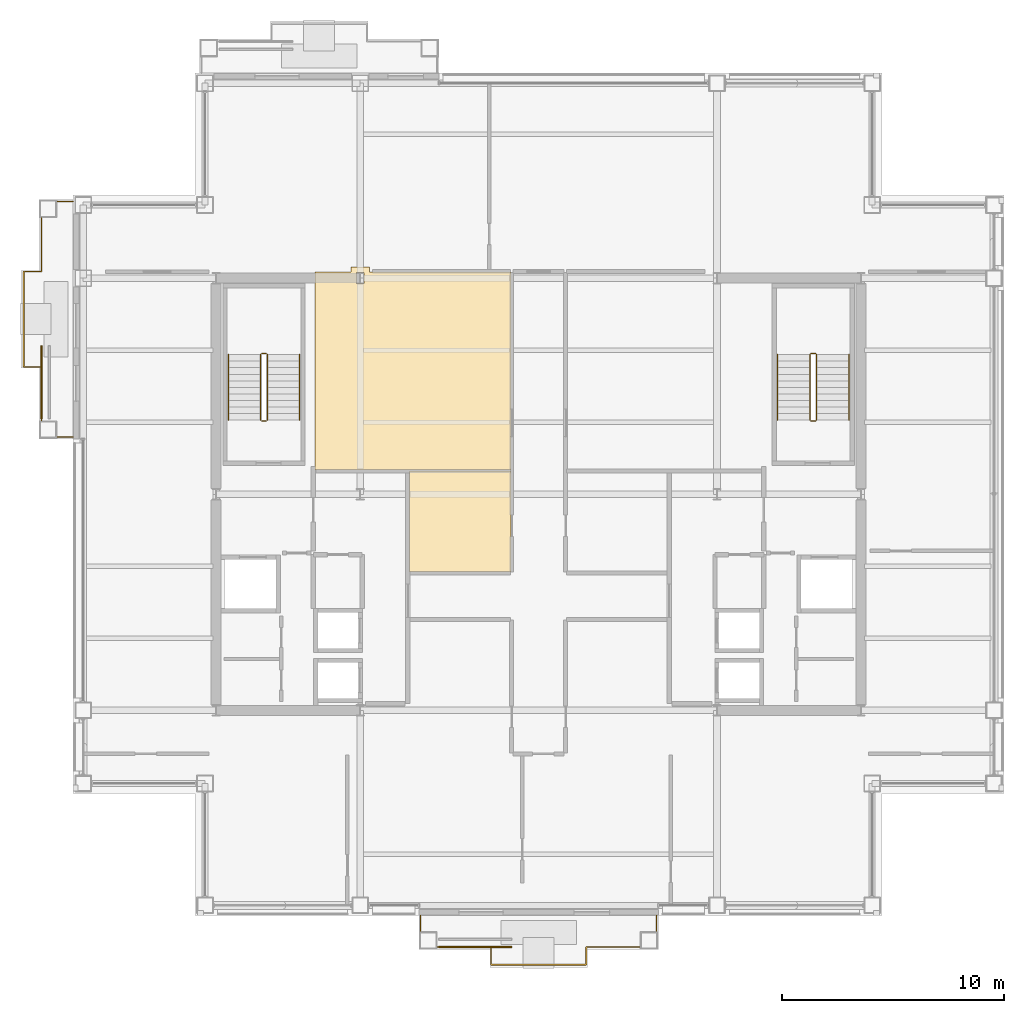
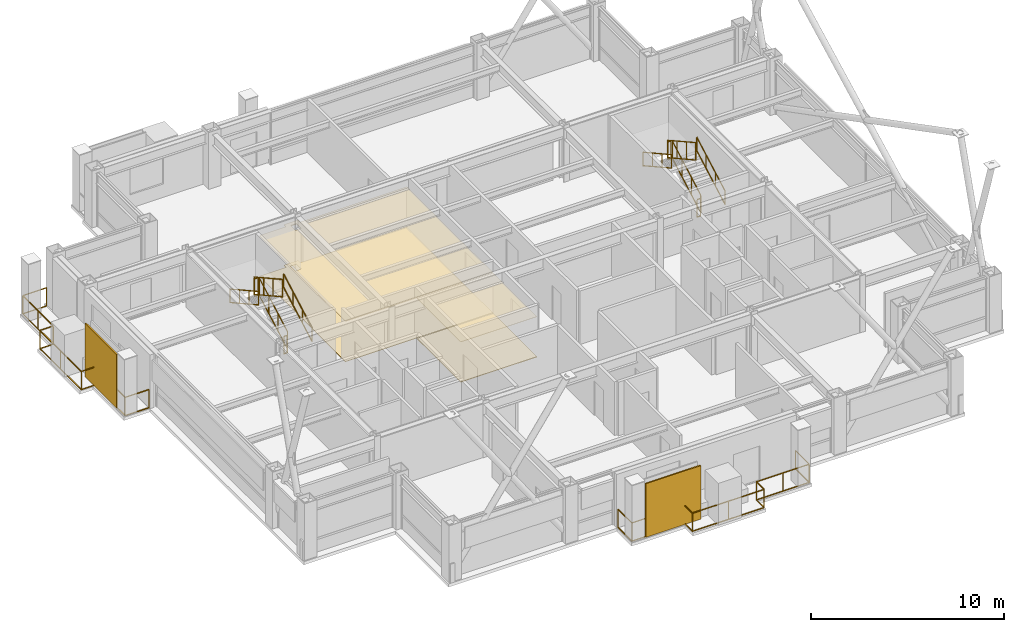
# One storey, part 30 of 32: 14 railings, 4 coverings, 2 shading devices.
"""IFC4 building model written with IfcOpenShell, lengths in metres."""

from ifc_helpers import new_model, si_unit, direction, frame, origin, origin_2d, place, context, subcontext, project, spatial, polyline, rectangle, outline, extrude, material, layer, layer_set, type_object, element, save


model = new_model("IFC4")

# Units and contexts
model_context = context("Model", 3, precision=1e-05, world=origin(), true_north=direction((0.0, 1.0)))
body_context = subcontext(model_context, "Body", "Model", "MODEL_VIEW")
ifc_project = project(units=[si_unit("LENGTHUNIT", "METRE"), si_unit("AREAUNIT", "SQUARE_METRE"), si_unit("VOLUMEUNIT", "CUBIC_METRE"), si_unit("PLANEANGLEUNIT", "RADIAN"), si_unit("MASSUNIT", "GRAM", prefix="KILO")], contexts=[model_context])

# Site, building, storey
site_placement = place(None, origin())
site = spatial("IfcSite", under=ifc_project, at=site_placement, CompositionType="ELEMENT")
building_placement = place(site_placement, origin())
building = spatial("IfcBuilding", under=site, at=building_placement, Name="Brelmoor Portico Tower", CompositionType="ELEMENT")
storey_placement = place(building_placement, frame((0.0, 0.0, 162.300048828125)))
storey = spatial("IfcBuildingStorey", under=building, at=storey_placement, Name="L42", CompositionType="ELEMENT", Elevation=162.300048828125)

# Coverings
ifc_material_1 = material(Name="Perforated Mineral-Fibre Acoustic Ceiling Tile", Category="gypsum")
ifc_layer_1 = layer(ifc_material_1, 0.02490234375)
ifc_layer_set_1 = layer_set([ifc_layer_1], Name="Perforated Mineral-Fibre Acoustic Ceiling Tile")
covering_type_1 = type_object("IfcCoveringType", Name="CV-CEIL-GYPSUM-25", PredefinedType="CEILING", material=ifc_layer_set_1)
covering_1_placement = place(storey_placement, frame((0.0, 0.0, 2.550048828125)))
element("IfcCovering", 1, at=covering_1_placement, inside=storey, type_object=covering_type_1, Name="L42 Acoustic Suspended Ceiling 02", PredefinedType="CEILING", context=body_context, shape_type="SweptSolid", body=[
    extrude(outline(polyline([(-5.820068359375, -3.510009765625), (-5.820068359375, 1.0400390625), (-1.239990234375, 1.0400390625), (-1.239990234375, -3.510009765625), (-5.820068359375, -3.510009765625)])), origin(), (0.0, 0.0, 1.0), 0.02490234375),
])
ifc_material_2 = material(Name="Slatted FSC Oak Acoustic Feature Ceiling", Category="timber")
ifc_layer_2 = layer(ifc_material_2, 0.052001953125)
ifc_layer_set_2 = layer_set([ifc_layer_2], Name="Slatted FSC Oak Acoustic Feature Ceiling")
covering_type_2 = type_object("IfcCoveringType", Name="CV-CEIL-TIMBER-52", PredefinedType="CEILING", material=ifc_layer_set_2)
covering_2_placement = place(storey_placement, frame((0.0, 0.0, 2.550048828125)))
element("IfcCovering", 2, at=covering_2_placement, inside=storey, type_object=covering_type_2, Name="L42 Acoustic Suspended Ceiling 01", PredefinedType="CEILING", context=body_context, shape_type="SweptSolid", body=[
    extrude(outline(polyline([(-10.080078125, 10.030029296875), (-8.47509765625, 10.030029296875), (-8.47509765625, 10.25), (-7.625, 10.25), (-7.625, 10.030029296875), (-1.239990234375, 10.030029296875), (-1.239990234375, 1.090087890625), (-10.080078125, 1.090087890625), (-10.080078125, 10.030029296875)]), holes=[polyline([(-7.875, 9.5), (-7.875, 10.0), (-8.22509765625, 10.0), (-8.22509765625, 9.5), (-7.875, 9.5)])]), origin(), (0.0, 0.0, 1.0), 0.052001953125),
])
ifc_material_3 = material(Name="Honed Pearl-Grey Granite Paver Finish", Category="masonry")
ifc_layer_3 = layer(ifc_material_3, 0.0380859375)
ifc_layer_set_3 = layer_set([ifc_layer_3], Name="Honed Pearl-Grey Granite Paver Finish")
covering_type_3 = type_object("IfcCoveringType", Name="CV-FLR-GRANITE-38", PredefinedType="FLOORING", material=ifc_layer_set_3)
covering_3_placement = place(storey_placement, origin())
element("IfcCovering", 3, at=covering_3_placement, inside=storey, type_object=covering_type_3, Name="L42 Architectural Floor Finish 02", PredefinedType="FLOORING", context=body_context, shape_type="SweptSolid", body=[
    extrude(outline(polyline([(-5.820068359375, -3.510009765625), (-5.820068359375, 1.0400390625), (-1.239990234375, 1.0400390625), (-1.239990234375, -3.510009765625), (-5.820068359375, -3.510009765625)])), origin(), (0.0, 0.0, 1.0), 0.037841796875),
])
ifc_material_4 = material(Name="Polished Pale-Aggregate Cementitious Terrazzo", Category="stone")
ifc_layer_4 = layer(ifc_material_4, 0.030029296875)
ifc_layer_set_4 = layer_set([ifc_layer_4], Name="Polished Pale-Aggregate Cementitious Terrazzo")
covering_type_4 = type_object("IfcCoveringType", Name="CV-FLR-TERRAZZO-30", PredefinedType="FLOORING", material=ifc_layer_set_4)
covering_4_placement = place(storey_placement, origin())
element("IfcCovering", 4, at=covering_4_placement, inside=storey, type_object=covering_type_4, Name="L42 Architectural Floor Finish 01", PredefinedType="FLOORING", context=body_context, shape_type="SweptSolid", body=[
    extrude(outline(polyline([(-10.080078125, 10.030029296875), (-8.47509765625, 10.030029296875), (-8.47509765625, 10.25), (-7.625, 10.25), (-7.625, 10.030029296875), (-1.239990234375, 10.030029296875), (-1.239990234375, 1.090087890625), (-10.080078125, 1.090087890625), (-10.080078125, 10.030029296875)]), holes=[polyline([(-7.875, 9.5), (-7.875, 10.0), (-8.22509765625, 10.0), (-8.22509765625, 9.5), (-7.875, 9.5)])]), origin(), (0.0, 0.0, 1.0), 0.030029296875),
])

# Railings
ifc_material_5 = material(Name="Perforated Pale Champagne Aluminium Fretwork Guard", Category="aluminium")
railing_type_1 = type_object("IfcRailingType", Name="RL-BALUSTRADE-1200", PredefinedType="BALUSTRADE", material=ifc_material_5)
railing_1_placement = place(storey_placement, frame((-5.320068359375, -19.0, 0.0)))
element("IfcRailing", 5, at=railing_1_placement, inside=storey, type_object=railing_type_1, Name="L42 Tree Balcony Fretwork Balustrade S", PredefinedType="BALUSTRADE", context=body_context, shape_type="SweptSolid", body=[
    extrude(rectangle(XDim=0.048095703125, YDim=0.048095703125, at=origin_2d()), frame((0.0, 0.0, 1.17578125), z_axis=(0.0, -1.0, 0.0), x_axis=(1.0, 0.0, 0.0)), (0.0, 0.0, 1.0), 1.429931640625),
    extrude(rectangle(XDim=0.048095703125, YDim=0.048095703125, at=origin_2d()), frame((0.0, 0.0, 0.02392578125), z_axis=(0.0, -1.0, 0.0), x_axis=(1.0, 0.0, 0.0)), (0.0, 0.0, 1.0), 1.429931640625),
    extrude(rectangle(XDim=0.048095703125, YDim=0.048095703125, at=origin_2d()), frame((0.0, -1.429931640625, 1.17578125), z_axis=(1.0, 0.0, 0.0), x_axis=(0.0, 1.0, 0.0)), (0.0, 0.0, 1.0), 3.170166015625),
    extrude(rectangle(XDim=0.048095703125, YDim=0.048095703125, at=origin_2d()), frame((0.0, -1.429931640625, 0.02392578125), z_axis=(1.0, 0.0, 0.0), x_axis=(0.0, 1.0, 0.0)), (0.0, 0.0, 1.0), 3.170166015625),
    extrude(rectangle(XDim=0.048095703125, YDim=0.048095703125, at=origin_2d()), frame((3.170166015625, -1.429931640625, 1.17578125), z_axis=(0.0, -1.0, 0.0), x_axis=(1.0, 0.0, 0.0)), (0.0, 0.0, 1.0), 0.800048828125),
    extrude(rectangle(XDim=0.048095703125, YDim=0.048095703125, at=origin_2d()), frame((3.170166015625, -1.429931640625, 0.02392578125), z_axis=(0.0, -1.0, 0.0), x_axis=(1.0, 0.0, 0.0)), (0.0, 0.0, 1.0), 0.800048828125),
    extrude(rectangle(XDim=0.048095703125, YDim=0.048095703125, at=origin_2d()), frame((3.170166015625, -2.22998046875, 1.17578125), z_axis=(1.0, 0.0, 0.0), x_axis=(0.0, 1.0, 0.0)), (0.0, 0.0, 1.0), 4.2998046875),
    extrude(rectangle(XDim=0.048095703125, YDim=0.048095703125, at=origin_2d()), frame((3.170166015625, -2.22998046875, 0.02392578125), z_axis=(1.0, 0.0, 0.0), x_axis=(0.0, 1.0, 0.0)), (0.0, 0.0, 1.0), 4.2998046875),
    extrude(rectangle(XDim=0.048095703125, YDim=0.048095703125, at=origin_2d()), frame((7.469970703125, -2.22998046875, 1.17578125), z_axis=(0.0, 1.0, 0.0), x_axis=(-1.0, 0.0, 0.0)), (0.0, 0.0, 1.0), 0.800048828125),
    extrude(rectangle(XDim=0.048095703125, YDim=0.048095703125, at=origin_2d()), frame((7.469970703125, -2.22998046875, 0.02392578125), z_axis=(0.0, 1.0, 0.0), x_axis=(-1.0, 0.0, 0.0)), (0.0, 0.0, 1.0), 0.800048828125),
    extrude(rectangle(XDim=0.048095703125, YDim=0.048095703125, at=origin_2d()), frame((7.469970703125, -1.429931640625, 1.17578125), z_axis=(1.0, 0.0, 0.0), x_axis=(0.0, 1.0, 0.0)), (0.0, 0.0, 1.0), 3.170166015625),
    extrude(rectangle(XDim=0.048095703125, YDim=0.048095703125, at=origin_2d()), frame((7.469970703125, -1.429931640625, 0.02392578125), z_axis=(1.0, 0.0, 0.0), x_axis=(0.0, 1.0, 0.0)), (0.0, 0.0, 1.0), 3.170166015625),
    extrude(rectangle(XDim=0.048095703125, YDim=0.048095703125, at=origin_2d()), frame((10.64013671875, -1.429931640625, 1.17578125), z_axis=(0.0, 1.0, 0.0), x_axis=(-1.0, 0.0, 0.0)), (0.0, 0.0, 1.0), 1.429931640625),
    extrude(rectangle(XDim=0.048095703125, YDim=0.048095703125, at=origin_2d()), frame((10.64013671875, -1.429931640625, 0.02392578125), z_axis=(0.0, 1.0, 0.0), x_axis=(-1.0, 0.0, 0.0)), (0.0, 0.0, 1.0), 1.429931640625),
    extrude(rectangle(XDim=0.0419921875, YDim=0.0419921875, at=origin_2d()), origin(), (0.0, 0.0, 1.0), 1.15185546875),
    extrude(rectangle(XDim=0.0419921875, YDim=0.0419921875, at=origin_2d()), frame((0.0, -1.429931640625, 0.0)), (0.0, 0.0, 1.0), 1.15185546875),
    extrude(rectangle(XDim=0.0419921875, YDim=0.0419921875, at=origin_2d()), frame((1.5849609375, -1.429931640625, 0.0)), (0.0, 0.0, 1.0), 1.15185546875),
    extrude(rectangle(XDim=0.0419921875, YDim=0.0419921875, at=origin_2d()), frame((3.170166015625, -1.429931640625, 0.0)), (0.0, 0.0, 1.0), 1.15185546875),
    extrude(rectangle(XDim=0.0419921875, YDim=0.0419921875, at=origin_2d()), frame((3.170166015625, -2.22998046875, 0.0)), (0.0, 0.0, 1.0), 1.15185546875),
    extrude(rectangle(XDim=0.0419921875, YDim=0.0419921875, at=origin_2d()), frame((5.320068359375, -2.22998046875, 0.0)), (0.0, 0.0, 1.0), 1.15185546875),
    extrude(rectangle(XDim=0.0419921875, YDim=0.0419921875, at=origin_2d()), frame((7.469970703125, -2.22998046875, 0.0)), (0.0, 0.0, 1.0), 1.15185546875),
    extrude(rectangle(XDim=0.0419921875, YDim=0.0419921875, at=origin_2d()), frame((7.469970703125, -1.429931640625, 0.0)), (0.0, 0.0, 1.0), 1.15185546875),
    extrude(rectangle(XDim=0.0419921875, YDim=0.0419921875, at=origin_2d()), frame((9.05517578125, -1.429931640625, 0.0)), (0.0, 0.0, 1.0), 1.15185546875),
    extrude(rectangle(XDim=0.0419921875, YDim=0.0419921875, at=origin_2d()), frame((10.64013671875, -1.429931640625, 0.0)), (0.0, 0.0, 1.0), 1.15185546875),
    extrude(rectangle(XDim=0.0419921875, YDim=0.0419921875, at=origin_2d()), frame((10.64013671875, 0.0, 0.0)), (0.0, 0.0, 1.0), 1.15185546875),
])
railing_2_placement = place(storey_placement, frame((-21.0, 2.580078125, 0.0)))
element("IfcRailing", 6, at=railing_2_placement, inside=storey, type_object=railing_type_1, Name="L42 Tree Balcony Fretwork Balustrade W", PredefinedType="BALUSTRADE", context=body_context, shape_type="SweptSolid", body=[
    extrude(rectangle(XDim=0.048095703125, YDim=0.048095703125, at=origin_2d()), frame((0.0, 0.0, 1.17578125), z_axis=(-1.0, 0.0, 0.0), x_axis=(0.0, -1.0, 0.0)), (0.0, 0.0, 1.0), 1.429931640625),
    extrude(rectangle(XDim=0.048095703125, YDim=0.048095703125, at=origin_2d()), frame((0.0, 0.0, 0.02392578125), z_axis=(-1.0, 0.0, 0.0), x_axis=(0.0, -1.0, 0.0)), (0.0, 0.0, 1.0), 1.429931640625),
    extrude(rectangle(XDim=0.048095703125, YDim=0.048095703125, at=origin_2d()), frame((-1.429931640625, 0.0, 1.17578125), z_axis=(0.0, 1.0, 0.0), x_axis=(-1.0, 0.0, 0.0)), (0.0, 0.0, 1.0), 3.169921875),
    extrude(rectangle(XDim=0.048095703125, YDim=0.048095703125, at=origin_2d()), frame((-1.429931640625, 0.0, 0.02392578125), z_axis=(0.0, 1.0, 0.0), x_axis=(-1.0, 0.0, 0.0)), (0.0, 0.0, 1.0), 3.169921875),
    extrude(rectangle(XDim=0.048095703125, YDim=0.048095703125, at=origin_2d()), frame((-1.429931640625, 3.169921875, 1.17578125), z_axis=(-1.0, 0.0, 0.0), x_axis=(0.0, -1.0, 0.0)), (0.0, 0.0, 1.0), 0.800048828125),
    extrude(rectangle(XDim=0.048095703125, YDim=0.048095703125, at=origin_2d()), frame((-1.429931640625, 3.169921875, 0.02392578125), z_axis=(-1.0, 0.0, 0.0), x_axis=(0.0, -1.0, 0.0)), (0.0, 0.0, 1.0), 0.800048828125),
    extrude(rectangle(XDim=0.048095703125, YDim=0.048095703125, at=origin_2d()), frame((-2.22998046875, 3.169921875, 1.17578125), z_axis=(0.0, 1.0, 0.0), x_axis=(-1.0, 0.0, 0.0)), (0.0, 0.0, 1.0), 4.300048828125),
    extrude(rectangle(XDim=0.048095703125, YDim=0.048095703125, at=origin_2d()), frame((-2.22998046875, 3.169921875, 0.02392578125), z_axis=(0.0, 1.0, 0.0), x_axis=(-1.0, 0.0, 0.0)), (0.0, 0.0, 1.0), 4.300048828125),
    extrude(rectangle(XDim=0.048095703125, YDim=0.048095703125, at=origin_2d()), frame((-2.22998046875, 7.469970703125, 1.17578125), z_axis=(1.0, 0.0, 0.0), x_axis=(0.0, 1.0, 0.0)), (0.0, 0.0, 1.0), 0.800048828125),
    extrude(rectangle(XDim=0.048095703125, YDim=0.048095703125, at=origin_2d()), frame((-2.22998046875, 7.469970703125, 0.02392578125), z_axis=(1.0, 0.0, 0.0), x_axis=(0.0, 1.0, 0.0)), (0.0, 0.0, 1.0), 0.800048828125),
    extrude(rectangle(XDim=0.048095703125, YDim=0.048095703125, at=origin_2d()), frame((-1.429931640625, 7.469970703125, 1.17578125), z_axis=(0.0, 1.0, 0.0), x_axis=(-1.0, 0.0, 0.0)), (0.0, 0.0, 1.0), 3.169921875),
    extrude(rectangle(XDim=0.048095703125, YDim=0.048095703125, at=origin_2d()), frame((-1.429931640625, 7.469970703125, 0.02392578125), z_axis=(0.0, 1.0, 0.0), x_axis=(-1.0, 0.0, 0.0)), (0.0, 0.0, 1.0), 3.169921875),
    extrude(rectangle(XDim=0.048095703125, YDim=0.048095703125, at=origin_2d()), frame((-1.429931640625, 10.639892578125, 1.17578125), z_axis=(1.0, 0.0, 0.0), x_axis=(0.0, 1.0, 0.0)), (0.0, 0.0, 1.0), 1.429931640625),
    extrude(rectangle(XDim=0.048095703125, YDim=0.048095703125, at=origin_2d()), frame((-1.429931640625, 10.639892578125, 0.02392578125), z_axis=(1.0, 0.0, 0.0), x_axis=(0.0, 1.0, 0.0)), (0.0, 0.0, 1.0), 1.429931640625),
    extrude(rectangle(XDim=0.0419921875, YDim=0.0419921875, at=origin_2d()), origin(), (0.0, 0.0, 1.0), 1.15185546875),
    extrude(rectangle(XDim=0.0419921875, YDim=0.0419921875, at=origin_2d()), frame((-1.429931640625, 0.0, 0.0)), (0.0, 0.0, 1.0), 1.15185546875),
    extrude(rectangle(XDim=0.0419921875, YDim=0.0419921875, at=origin_2d()), frame((-1.429931640625, 1.5849609375, 0.0)), (0.0, 0.0, 1.0), 1.15185546875),
    extrude(rectangle(XDim=0.0419921875, YDim=0.0419921875, at=origin_2d()), frame((-1.429931640625, 3.169921875, 0.0)), (0.0, 0.0, 1.0), 1.15185546875),
    extrude(rectangle(XDim=0.0419921875, YDim=0.0419921875, at=origin_2d()), frame((-2.22998046875, 3.169921875, 0.0)), (0.0, 0.0, 1.0), 1.15185546875),
    extrude(rectangle(XDim=0.0419921875, YDim=0.0419921875, at=origin_2d()), frame((-2.22998046875, 5.31982421875, 0.0)), (0.0, 0.0, 1.0), 1.15185546875),
    extrude(rectangle(XDim=0.0419921875, YDim=0.0419921875, at=origin_2d()), frame((-2.22998046875, 7.469970703125, 0.0)), (0.0, 0.0, 1.0), 1.15185546875),
    extrude(rectangle(XDim=0.0419921875, YDim=0.0419921875, at=origin_2d()), frame((-1.429931640625, 7.469970703125, 0.0)), (0.0, 0.0, 1.0), 1.15185546875),
    extrude(rectangle(XDim=0.0419921875, YDim=0.0419921875, at=origin_2d()), frame((-1.429931640625, 9.054931640625, 0.0)), (0.0, 0.0, 1.0), 1.15185546875),
    extrude(rectangle(XDim=0.0419921875, YDim=0.0419921875, at=origin_2d()), frame((-1.429931640625, 10.639892578125, 0.0)), (0.0, 0.0, 1.0), 1.15185546875),
    extrude(rectangle(XDim=0.0419921875, YDim=0.0419921875, at=origin_2d()), frame((0.0, 10.639892578125, 0.0)), (0.0, 0.0, 1.0), 1.15185546875),
])
ifc_material_6 = material(Name="Painted Tubular Steel Q235B", Category="steel")
railing_type_2 = type_object("IfcRailingType", Name="RL-STAIR-GUARD", PredefinedType="GUARDRAIL", material=ifc_material_6)
railing_3_placement = place(storey_placement, frame((-12.239990234375, 3.35009765625, 0.16357421875)))
element("IfcRailing", 7, at=railing_3_placement, inside=storey, type_object=railing_type_2, Name="L42 ST-W stair guard 1", PredefinedType="GUARDRAIL", context=body_context, shape_type="SweptSolid", body=[
    extrude(rectangle(XDim=0.048095703125, YDim=0.048095703125, at=origin_2d()), frame((0.0, 0.0, 1.1259765625), z_axis=(0.0, 0.874457516365, 0.485102104791), x_axis=(-1.0, 0.0, 0.0)), (0.0, 0.0, 1.0), 3.37353515625),
    extrude(rectangle(XDim=0.048095703125, YDim=0.048095703125, at=origin_2d()), frame((0.0, 0.0, 0.02392578125), z_axis=(0.0, 0.874457516365, 0.485102104791), x_axis=(-1.0, 0.0, 0.0)), (0.0, 0.0, 1.0), 3.37353515625),
    extrude(rectangle(XDim=0.0419921875, YDim=0.0419921875, at=origin_2d()), origin(), (0.0, 0.0, 1.0), 1.101806640625),
    extrude(rectangle(XDim=0.0419921875, YDim=0.0419921875, at=origin_2d()), frame((0.0, 0.9833984375, 0.54541015625)), (0.0, 0.0, 1.0), 1.101806640625),
    extrude(rectangle(XDim=0.0419921875, YDim=0.0419921875, at=origin_2d()), frame((0.0, 1.966552734375, 1.091064453125)), (0.0, 0.0, 1.0), 1.101806640625),
    extrude(rectangle(XDim=0.0419921875, YDim=0.0419921875, at=origin_2d()), frame((0.0, 2.949951171875, 1.636474609375)), (0.0, 0.0, 1.0), 1.101806640625),
])
railing_4_placement = place(storey_placement, frame((-12.2900390625, 6.35009765625, 1.800048828125)))
element("IfcRailing", 8, at=railing_4_placement, inside=storey, type_object=railing_type_2, Name="L42 ST-W stair guard 2", PredefinedType="GUARDRAIL", context=body_context, shape_type="SweptSolid", body=[
    extrude(rectangle(XDim=0.048095703125, YDim=0.048095703125, at=origin_2d()), frame((0.0, 0.0, 1.1259765625), z_axis=(-1.0, 0.0, 0.0), x_axis=(0.0, -1.0, 0.0)), (0.0, 0.0, 1.0), 0.199951171875),
    extrude(rectangle(XDim=0.048095703125, YDim=0.048095703125, at=origin_2d()), frame((0.0, 0.0, 0.02392578125), z_axis=(-1.0, 0.0, 0.0), x_axis=(0.0, -1.0, 0.0)), (0.0, 0.0, 1.0), 0.199951171875),
    extrude(rectangle(XDim=0.0419921875, YDim=0.0419921875, at=origin_2d()), origin(), (0.0, 0.0, 1.0), 1.101806640625),
    extrude(rectangle(XDim=0.0419921875, YDim=0.0419921875, at=origin_2d()), frame((-0.199951171875, 0.0, 0.0)), (0.0, 0.0, 1.0), 1.101806640625),
])
railing_5_placement = place(storey_placement, frame((-12.5400390625, 6.300048828125, 1.963623046875)))
element("IfcRailing", 9, at=railing_5_placement, inside=storey, type_object=railing_type_2, Name="L42 ST-W stair guard 3", PredefinedType="GUARDRAIL", context=body_context, shape_type="SweptSolid", body=[
    extrude(rectangle(XDim=0.048095703125, YDim=0.048095703125, at=origin_2d()), frame((0.0, 0.0, 1.1259765625), z_axis=(0.0, -0.87448821551, 0.485046761595), x_axis=(1.0, 0.0, 0.0)), (0.0, 0.0, 1.0), 3.373291015625),
    extrude(rectangle(XDim=0.048095703125, YDim=0.048095703125, at=origin_2d()), frame((0.0, 0.0, 0.02392578125), z_axis=(0.0, -0.87448821551, 0.485046761595), x_axis=(1.0, 0.0, 0.0)), (0.0, 0.0, 1.0), 3.373291015625),
    extrude(rectangle(XDim=0.0419921875, YDim=0.0419921875, at=origin_2d()), origin(), (0.0, 0.0, 1.0), 1.101806640625),
    extrude(rectangle(XDim=0.0419921875, YDim=0.0419921875, at=origin_2d()), frame((0.0, -0.9833984375, 0.54541015625)), (0.0, 0.0, 1.0), 1.101806640625),
    extrude(rectangle(XDim=0.0419921875, YDim=0.0419921875, at=origin_2d()), frame((0.0, -1.966552734375, 1.0908203125)), (0.0, 0.0, 1.0), 1.101806640625),
    extrude(rectangle(XDim=0.0419921875, YDim=0.0419921875, at=origin_2d()), frame((0.0, -2.949951171875, 1.63623046875)), (0.0, 0.0, 1.0), 1.101806640625),
])
railing_6_placement = place(storey_placement, frame((-12.2900390625, 3.300048828125, 0.0)))
element("IfcRailing", 10, at=railing_6_placement, inside=storey, type_object=railing_type_2, Name="L42 ST-W stair guard 4", PredefinedType="GUARDRAIL", context=body_context, shape_type="SweptSolid", body=[
    extrude(rectangle(XDim=0.048095703125, YDim=0.048095703125, at=origin_2d()), frame((0.0, 0.0, 1.1259765625), z_axis=(-1.0, 0.0, 0.0), x_axis=(0.0, -1.0, 0.0)), (0.0, 0.0, 1.0), 0.199951171875),
    extrude(rectangle(XDim=0.048095703125, YDim=0.048095703125, at=origin_2d()), frame((0.0, 0.0, 0.02392578125), z_axis=(-1.0, 0.0, 0.0), x_axis=(0.0, -1.0, 0.0)), (0.0, 0.0, 1.0), 0.199951171875),
    extrude(rectangle(XDim=0.0419921875, YDim=0.0419921875, at=origin_2d()), origin(), (0.0, 0.0, 1.0), 1.101806640625),
    extrude(rectangle(XDim=0.0419921875, YDim=0.0419921875, at=origin_2d()), frame((-0.199951171875, 0.0, 0.0)), (0.0, 0.0, 1.0), 1.101806640625),
])
railing_7_placement = place(storey_placement, frame((12.5400390625, 3.35009765625, 0.16357421875)))
element("IfcRailing", 11, at=railing_7_placement, inside=storey, type_object=railing_type_2, Name="L42 ST-E stair guard 1", PredefinedType="GUARDRAIL", context=body_context, shape_type="SweptSolid", body=[
    extrude(rectangle(XDim=0.048095703125, YDim=0.048095703125, at=origin_2d()), frame((0.0, 0.0, 1.1259765625), z_axis=(0.0, 0.874457516365, 0.485102104791), x_axis=(-1.0, 0.0, 0.0)), (0.0, 0.0, 1.0), 3.37353515625),
    extrude(rectangle(XDim=0.048095703125, YDim=0.048095703125, at=origin_2d()), frame((0.0, 0.0, 0.02392578125), z_axis=(0.0, 0.874457516365, 0.485102104791), x_axis=(-1.0, 0.0, 0.0)), (0.0, 0.0, 1.0), 3.37353515625),
    extrude(rectangle(XDim=0.0419921875, YDim=0.0419921875, at=origin_2d()), origin(), (0.0, 0.0, 1.0), 1.101806640625),
    extrude(rectangle(XDim=0.0419921875, YDim=0.0419921875, at=origin_2d()), frame((0.0, 0.9833984375, 0.54541015625)), (0.0, 0.0, 1.0), 1.101806640625),
    extrude(rectangle(XDim=0.0419921875, YDim=0.0419921875, at=origin_2d()), frame((0.0, 1.966552734375, 1.091064453125)), (0.0, 0.0, 1.0), 1.101806640625),
    extrude(rectangle(XDim=0.0419921875, YDim=0.0419921875, at=origin_2d()), frame((0.0, 2.949951171875, 1.636474609375)), (0.0, 0.0, 1.0), 1.101806640625),
])
railing_8_placement = place(storey_placement, frame((12.489990234375, 6.35009765625, 1.800048828125)))
element("IfcRailing", 12, at=railing_8_placement, inside=storey, type_object=railing_type_2, Name="L42 ST-E stair guard 2", PredefinedType="GUARDRAIL", context=body_context, shape_type="SweptSolid", body=[
    extrude(rectangle(XDim=0.048095703125, YDim=0.048095703125, at=origin_2d()), frame((0.0, 0.0, 1.1259765625), z_axis=(-1.0, 0.0, 0.0), x_axis=(0.0, -1.0, 0.0)), (0.0, 0.0, 1.0), 0.199951171875),
    extrude(rectangle(XDim=0.048095703125, YDim=0.048095703125, at=origin_2d()), frame((0.0, 0.0, 0.02392578125), z_axis=(-1.0, 0.0, 0.0), x_axis=(0.0, -1.0, 0.0)), (0.0, 0.0, 1.0), 0.199951171875),
    extrude(rectangle(XDim=0.0419921875, YDim=0.0419921875, at=origin_2d()), origin(), (0.0, 0.0, 1.0), 1.101806640625),
    extrude(rectangle(XDim=0.0419921875, YDim=0.0419921875, at=origin_2d()), frame((-0.199951171875, 0.0, 0.0)), (0.0, 0.0, 1.0), 1.101806640625),
])
railing_9_placement = place(storey_placement, frame((12.239990234375, 6.300048828125, 1.963623046875)))
element("IfcRailing", 13, at=railing_9_placement, inside=storey, type_object=railing_type_2, Name="L42 ST-E stair guard 3", PredefinedType="GUARDRAIL", context=body_context, shape_type="SweptSolid", body=[
    extrude(rectangle(XDim=0.048095703125, YDim=0.048095703125, at=origin_2d()), frame((0.0, 0.0, 1.1259765625), z_axis=(0.0, -0.87448821551, 0.485046761595), x_axis=(1.0, 0.0, 0.0)), (0.0, 0.0, 1.0), 3.373291015625),
    extrude(rectangle(XDim=0.048095703125, YDim=0.048095703125, at=origin_2d()), frame((0.0, 0.0, 0.02392578125), z_axis=(0.0, -0.87448821551, 0.485046761595), x_axis=(1.0, 0.0, 0.0)), (0.0, 0.0, 1.0), 3.373291015625),
    extrude(rectangle(XDim=0.0419921875, YDim=0.0419921875, at=origin_2d()), origin(), (0.0, 0.0, 1.0), 1.101806640625),
    extrude(rectangle(XDim=0.0419921875, YDim=0.0419921875, at=origin_2d()), frame((0.0, -0.9833984375, 0.54541015625)), (0.0, 0.0, 1.0), 1.101806640625),
    extrude(rectangle(XDim=0.0419921875, YDim=0.0419921875, at=origin_2d()), frame((0.0, -1.966552734375, 1.0908203125)), (0.0, 0.0, 1.0), 1.101806640625),
    extrude(rectangle(XDim=0.0419921875, YDim=0.0419921875, at=origin_2d()), frame((0.0, -2.949951171875, 1.63623046875)), (0.0, 0.0, 1.0), 1.101806640625),
])
railing_10_placement = place(storey_placement, frame((12.489990234375, 3.300048828125, 0.0)))
element("IfcRailing", 14, at=railing_10_placement, inside=storey, type_object=railing_type_2, Name="L42 ST-E stair guard 4", PredefinedType="GUARDRAIL", context=body_context, shape_type="SweptSolid", body=[
    extrude(rectangle(XDim=0.048095703125, YDim=0.048095703125, at=origin_2d()), frame((0.0, 0.0, 1.1259765625), z_axis=(-1.0, 0.0, 0.0), x_axis=(0.0, -1.0, 0.0)), (0.0, 0.0, 1.0), 0.199951171875),
    extrude(rectangle(XDim=0.048095703125, YDim=0.048095703125, at=origin_2d()), frame((0.0, 0.0, 0.02392578125), z_axis=(-1.0, 0.0, 0.0), x_axis=(0.0, -1.0, 0.0)), (0.0, 0.0, 1.0), 0.199951171875),
    extrude(rectangle(XDim=0.0419921875, YDim=0.0419921875, at=origin_2d()), origin(), (0.0, 0.0, 1.0), 1.101806640625),
    extrude(rectangle(XDim=0.0419921875, YDim=0.0419921875, at=origin_2d()), frame((-0.199951171875, 0.0, 0.0)), (0.0, 0.0, 1.0), 1.101806640625),
])
ifc_material_7 = material(Name="Brushed Stainless Steel 304", Category="steel")
railing_type_3 = type_object("IfcRailingType", Name="RL-STAIR-HANDRAIL", PredefinedType="HANDRAIL", material=ifc_material_7)
railing_11_placement = place(storey_placement, frame((-10.780029296875, 3.35009765625, 0.16357421875)))
element("IfcRailing", 15, at=railing_11_placement, inside=storey, type_object=railing_type_3, Name="L42 ST-W stair handrail 1", PredefinedType="HANDRAIL", context=body_context, shape_type="SweptSolid", body=[
    extrude(rectangle(XDim=0.048095703125, YDim=0.048095703125, at=origin_2d()), frame((0.0, 0.0, 0.8759765625), z_axis=(0.0, 0.874457516365, 0.485102104791), x_axis=(-1.0, 0.0, 0.0)), (0.0, 0.0, 1.0), 3.37353515625),
    extrude(rectangle(XDim=0.048095703125, YDim=0.048095703125, at=origin_2d()), frame((0.0, 0.0, 0.02392578125), z_axis=(0.0, 0.874457516365, 0.485102104791), x_axis=(-1.0, 0.0, 0.0)), (0.0, 0.0, 1.0), 3.37353515625),
    extrude(rectangle(XDim=0.0419921875, YDim=0.0419921875, at=origin_2d()), origin(), (0.0, 0.0, 1.0), 0.851806640625),
    extrude(rectangle(XDim=0.0419921875, YDim=0.0419921875, at=origin_2d()), frame((0.0, 0.9833984375, 0.54541015625)), (0.0, 0.0, 1.0), 0.851806640625),
    extrude(rectangle(XDim=0.0419921875, YDim=0.0419921875, at=origin_2d()), frame((0.0, 1.966552734375, 1.091064453125)), (0.0, 0.0, 1.0), 0.851806640625),
    extrude(rectangle(XDim=0.0419921875, YDim=0.0419921875, at=origin_2d()), frame((0.0, 2.949951171875, 1.636474609375)), (0.0, 0.0, 1.0), 0.851806640625),
])
railing_12_placement = place(storey_placement, frame((-14.0, 6.300048828125, 1.963623046875)))
element("IfcRailing", 16, at=railing_12_placement, inside=storey, type_object=railing_type_3, Name="L42 ST-W stair handrail 2", PredefinedType="HANDRAIL", context=body_context, shape_type="SweptSolid", body=[
    extrude(rectangle(XDim=0.048095703125, YDim=0.048095703125, at=origin_2d()), frame((0.0, 0.0, 0.8759765625), z_axis=(0.0, -0.87448821551, 0.485046761595), x_axis=(1.0, 0.0, 0.0)), (0.0, 0.0, 1.0), 3.373291015625),
    extrude(rectangle(XDim=0.048095703125, YDim=0.048095703125, at=origin_2d()), frame((0.0, 0.0, 0.02392578125), z_axis=(0.0, -0.87448821551, 0.485046761595), x_axis=(1.0, 0.0, 0.0)), (0.0, 0.0, 1.0), 3.373291015625),
    extrude(rectangle(XDim=0.0419921875, YDim=0.0419921875, at=origin_2d()), origin(), (0.0, 0.0, 1.0), 0.851806640625),
    extrude(rectangle(XDim=0.0419921875, YDim=0.0419921875, at=origin_2d()), frame((0.0, -0.9833984375, 0.54541015625)), (0.0, 0.0, 1.0), 0.851806640625),
    extrude(rectangle(XDim=0.0419921875, YDim=0.0419921875, at=origin_2d()), frame((0.0, -1.966552734375, 1.0908203125)), (0.0, 0.0, 1.0), 0.851806640625),
    extrude(rectangle(XDim=0.0419921875, YDim=0.0419921875, at=origin_2d()), frame((0.0, -2.949951171875, 1.63623046875)), (0.0, 0.0, 1.0), 0.851806640625),
])
railing_13_placement = place(storey_placement, frame((14.0, 3.35009765625, 0.16357421875)))
element("IfcRailing", 17, at=railing_13_placement, inside=storey, type_object=railing_type_3, Name="L42 ST-E stair handrail 1", PredefinedType="HANDRAIL", context=body_context, shape_type="SweptSolid", body=[
    extrude(rectangle(XDim=0.048095703125, YDim=0.048095703125, at=origin_2d()), frame((0.0, 0.0, 0.8759765625), z_axis=(0.0, 0.874457516365, 0.485102104791), x_axis=(-1.0, 0.0, 0.0)), (0.0, 0.0, 1.0), 3.37353515625),
    extrude(rectangle(XDim=0.048095703125, YDim=0.048095703125, at=origin_2d()), frame((0.0, 0.0, 0.02392578125), z_axis=(0.0, 0.874457516365, 0.485102104791), x_axis=(-1.0, 0.0, 0.0)), (0.0, 0.0, 1.0), 3.37353515625),
    extrude(rectangle(XDim=0.0419921875, YDim=0.0419921875, at=origin_2d()), origin(), (0.0, 0.0, 1.0), 0.851806640625),
    extrude(rectangle(XDim=0.0419921875, YDim=0.0419921875, at=origin_2d()), frame((0.0, 0.9833984375, 0.54541015625)), (0.0, 0.0, 1.0), 0.851806640625),
    extrude(rectangle(XDim=0.0419921875, YDim=0.0419921875, at=origin_2d()), frame((0.0, 1.966552734375, 1.091064453125)), (0.0, 0.0, 1.0), 0.851806640625),
    extrude(rectangle(XDim=0.0419921875, YDim=0.0419921875, at=origin_2d()), frame((0.0, 2.949951171875, 1.636474609375)), (0.0, 0.0, 1.0), 0.851806640625),
])
railing_14_placement = place(storey_placement, frame((10.780029296875, 6.300048828125, 1.963623046875)))
element("IfcRailing", 18, at=railing_14_placement, inside=storey, type_object=railing_type_3, Name="L42 ST-E stair handrail 2", PredefinedType="HANDRAIL", context=body_context, shape_type="SweptSolid", body=[
    extrude(rectangle(XDim=0.048095703125, YDim=0.048095703125, at=origin_2d()), frame((0.0, 0.0, 0.8759765625), z_axis=(0.0, -0.87448821551, 0.485046761595), x_axis=(1.0, 0.0, 0.0)), (0.0, 0.0, 1.0), 3.373291015625),
    extrude(rectangle(XDim=0.048095703125, YDim=0.048095703125, at=origin_2d()), frame((0.0, 0.0, 0.02392578125), z_axis=(0.0, -0.87448821551, 0.485046761595), x_axis=(1.0, 0.0, 0.0)), (0.0, 0.0, 1.0), 3.373291015625),
    extrude(rectangle(XDim=0.0419921875, YDim=0.0419921875, at=origin_2d()), origin(), (0.0, 0.0, 1.0), 0.851806640625),
    extrude(rectangle(XDim=0.0419921875, YDim=0.0419921875, at=origin_2d()), frame((0.0, -0.9833984375, 0.54541015625)), (0.0, 0.0, 1.0), 0.851806640625),
    extrude(rectangle(XDim=0.0419921875, YDim=0.0419921875, at=origin_2d()), frame((0.0, -1.966552734375, 1.0908203125)), (0.0, 0.0, 1.0), 0.851806640625),
    extrude(rectangle(XDim=0.0419921875, YDim=0.0419921875, at=origin_2d()), frame((0.0, -2.949951171875, 1.63623046875)), (0.0, 0.0, 1.0), 0.851806640625),
])

# Shading devices
ifc_material_8 = material(Name="Powder-Coated Aluminium Shuttered Jalousie", Category="aluminium")
ifc_layer_5 = layer(ifc_material_8, 0.080078125)
ifc_layer_set_5 = layer_set([ifc_layer_5], Name="Powder-Coated Aluminium Shuttered Jalousie")
shading_device_type = type_object("IfcShadingDeviceType", Name="SD-JALOUSIE-LOGGIA", PredefinedType="JALOUSIE", material=ifc_layer_set_5)
for number, where, z_axis, x_axis, name in (
    (19, (-2.85009765625, -20.429931640625, 0.0), (0.0, 0.0, 1.0), (1.0, 0.0, 0.0), "L42 Loggia Shuttered Jalousie S"),
    (20, (-22.429931640625, 5.050048828125, 0.0), (0.0, 0.0, 1.0), (0.0, 1.0, 0.0), "L42 Loggia Shuttered Jalousie W"),
):
    element("IfcShadingDevice", number, at=place(storey_placement, frame(where, z_axis=z_axis, x_axis=x_axis)), inside=storey, type_object=shading_device_type, Name=name, PredefinedType="JALOUSIE", context=body_context, shape_type="SweptSolid", body=[
        extrude(rectangle(XDim=3.300048828125, YDim=0.080078125, at=origin_2d()), origin(), (0.0, 0.0, 1.0), 3.39990234375),
    ])

save(model, "model.ifc")
